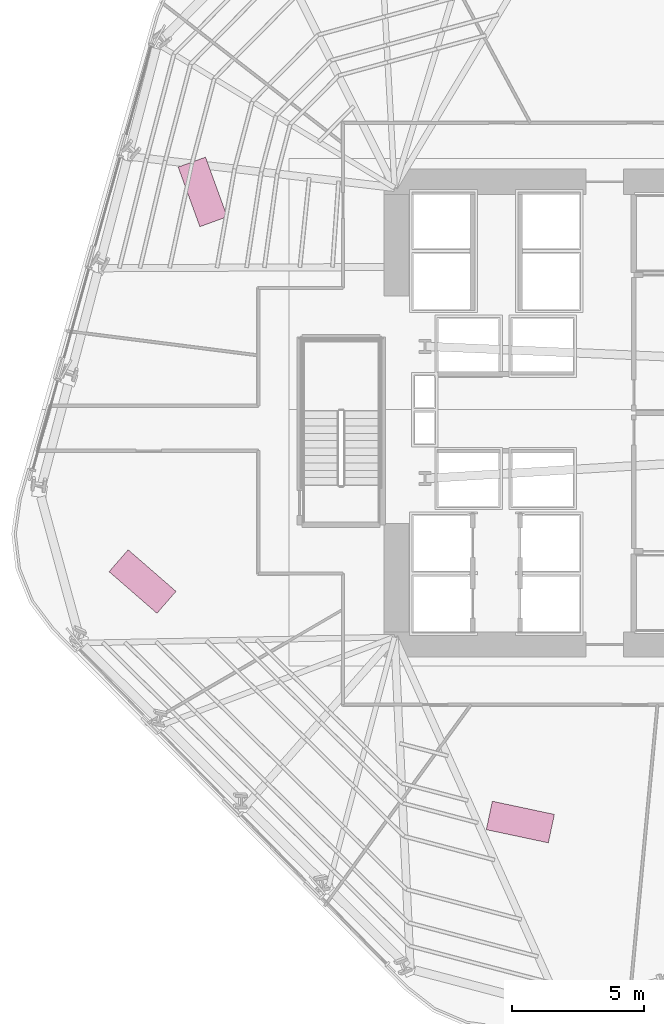
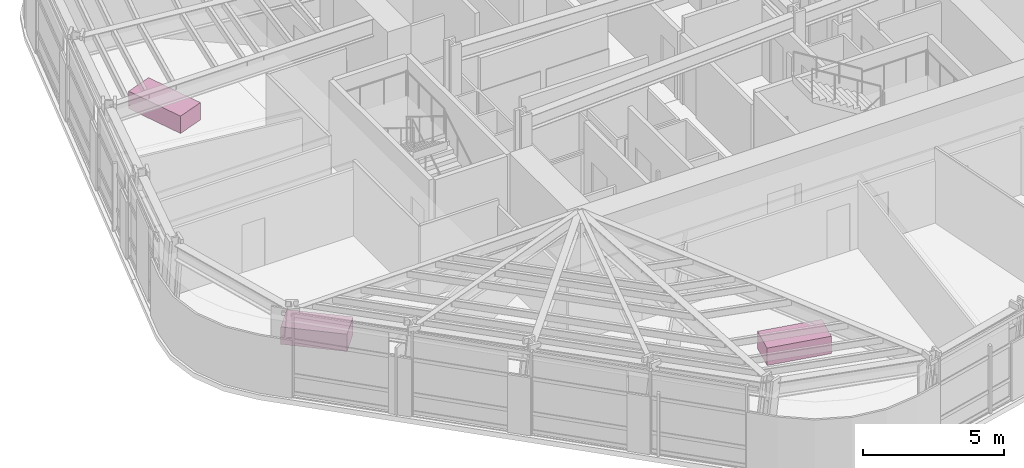
# One storey, part 17 of 17: 3 furniture elements.
"""IFC4 building model written with IfcOpenShell, lengths in metres."""

from ifc_helpers import new_model, si_unit, direction, frame, origin, origin_2d, place, context, subcontext, project, spatial, rectangle, extrude, material, type_object, element, save


model = new_model("IFC4")

# Units and contexts
model_context = context("Model", 3, precision=1e-05, world=origin(), true_north=direction((0.0, 1.0)))
body_context = subcontext(model_context, "Body", "Model", "MODEL_VIEW")
ifc_project = project(units=[si_unit("LENGTHUNIT", "METRE"), si_unit("AREAUNIT", "SQUARE_METRE"), si_unit("VOLUMEUNIT", "CUBIC_METRE"), si_unit("PLANEANGLEUNIT", "RADIAN"), si_unit("MASSUNIT", "GRAM", prefix="KILO")], contexts=[model_context])

# Site, building, storey
site_placement = place(None, origin())
site = spatial("IfcSite", under=ifc_project, at=site_placement, CompositionType="ELEMENT")
building_placement = place(site_placement, origin())
building = spatial("IfcBuilding", under=site, at=building_placement, Name="Valkerne Bourse Tower", CompositionType="ELEMENT")
storey_placement = place(building_placement, frame((0.0, 0.0, 85.800048828125)))
storey = spatial("IfcBuildingStorey", under=building, at=storey_placement, Name="L21", CompositionType="ELEMENT", Elevation=85.800048828125)

# Furniture
ifc_material = material(Name="Architectural White Oak Timber", Category="wood")
furniture_type = type_object("IfcFurnitureType", Name="FURN-DESK-2400", AssemblyPlace="NOTDEFINED", PredefinedType="DESK", material=ifc_material)
for number, where, z_axis, x_axis, name in (
    (1, (30.341064453125, 35.239013671875, 0.044921875), (0.0, 0.0, 1.0), (-0.342020143326, 0.939692620786, 0.0), "L21 Suite Worktable 07"),
    (2, (28.06689453125, 20.501953125, 0.044921875), (0.0, 0.0, 1.0), (-0.754709580223, 0.656059028991, 0.0), "L21 Suite Worktable 08"),
    (3, (42.35693359375, 11.405029296875, 0.044921875), (0.0, 0.0, 1.0), (-0.978147600734, 0.207911690818, 0.0), "L21 Suite Worktable 09"),
):
    element("IfcFurniture", number, at=place(storey_placement, frame(where, z_axis=z_axis, x_axis=x_axis)), inside=storey, type_object=furniture_type, Name=name, PredefinedType="DESK", context=body_context, shape_type="SweptSolid", body=[
        extrude(rectangle(XDim=2.39990234375, YDim=1.10009765625, at=origin_2d()), origin(), (0.0, 0.0, 1.0), 0.75),
    ])

save(model, "model.ifc")
